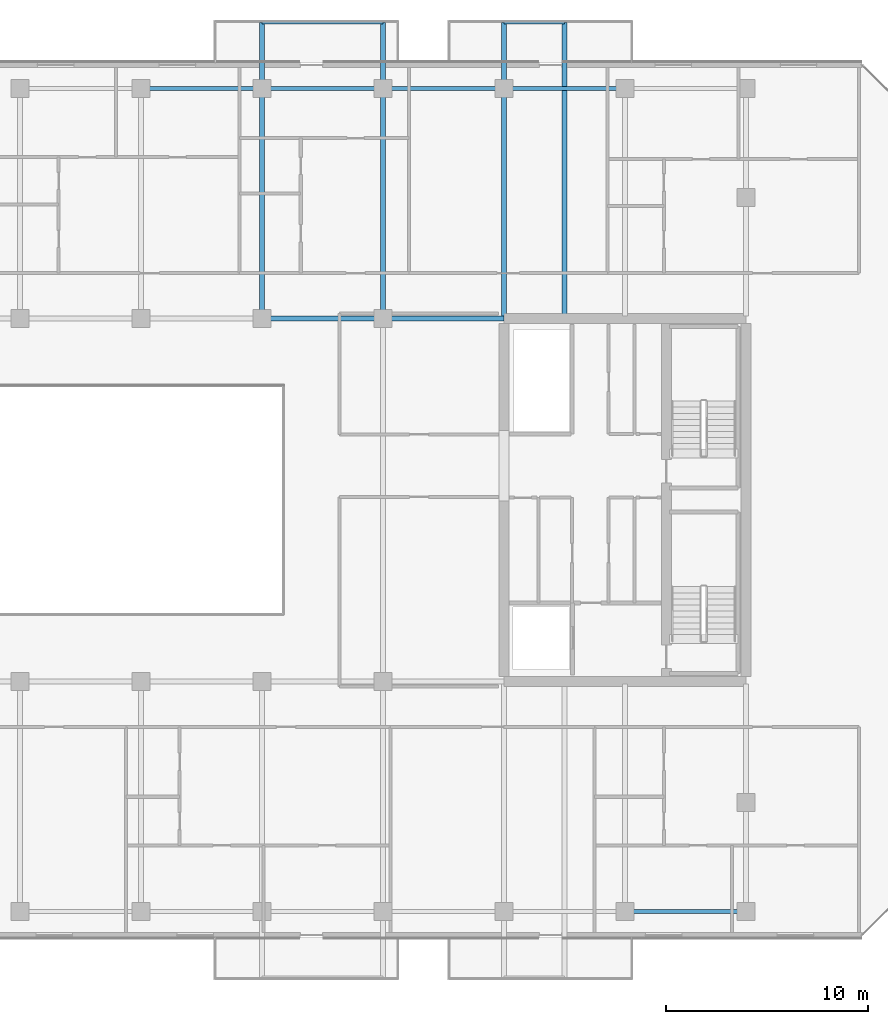
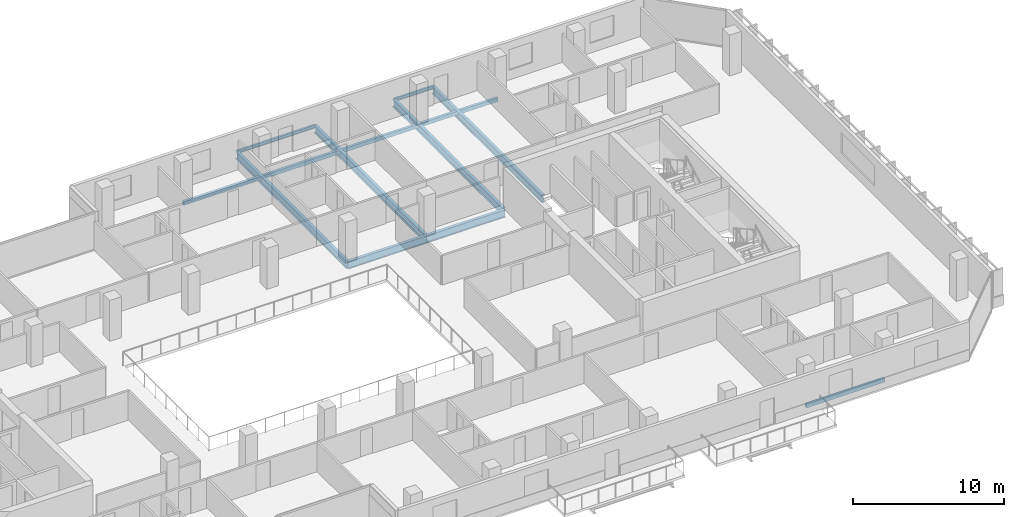
# One storey, part 12 of 29: 13 beams.
"""IFC4 building model written with IfcOpenShell, lengths in metres."""

from ifc_helpers import new_model, si_unit, direction, frame, origin, origin_2d, place, context, subcontext, project, spatial, hollow_rectangle, i_section, extrude, material, material_profile, profile_set, type_object, element, save


model = new_model("IFC4")

# Units and contexts
model_context = context("Model", 3, precision=1e-05, world=origin(), true_north=direction((0.0, 1.0)))
body_context = subcontext(model_context, "Body", "Model", "MODEL_VIEW")
ifc_project = project(units=[si_unit("LENGTHUNIT", "METRE"), si_unit("AREAUNIT", "SQUARE_METRE"), si_unit("VOLUMEUNIT", "CUBIC_METRE"), si_unit("PLANEANGLEUNIT", "RADIAN"), si_unit("MASSUNIT", "GRAM", prefix="KILO")], contexts=[model_context])

# Site, building, storey
site_placement = place(None, origin())
site = spatial("IfcSite", under=ifc_project, at=site_placement, CompositionType="ELEMENT")
building_placement = place(site_placement, origin())
building = spatial("IfcBuilding", under=site, at=building_placement, Name="Tanjung Sevakor Pilgrim Tower", CompositionType="ELEMENT")
storey_placement = place(building_placement, frame((0.0, 0.0, 148.5)))
storey = spatial("IfcBuildingStorey", under=building, at=storey_placement, Name="L41", CompositionType="ELEMENT", Elevation=148.5)

# Beams
ifc_material_1 = material(Name="Steel S355J2", Category="steel")
ifc_material_profile_1 = material_profile(ifc_material_1, i_section(OverallWidth=0.230224609375, OverallDepth=0.6171875, WebThickness=0.01318359375, FlangeThickness=0.022216796875, FilletRadius=0.0126953125, at=origin_2d()))
ifc_profile_set_1 = profile_set([ifc_material_profile_1], Name="Steel S355J2")
beam_type_1 = type_object("IfcBeamType", Name="BM-B-G3-UB_610x229x140", PredefinedType="BEAM", material=ifc_profile_set_1)
for number, where, z_axis, x_axis, name in (
    (1, (66.0, 42.60009765625, -0.528564453125), (1.0, 0.0, 0.0), (0.0, 1.0, 0.0), "L41 Primary Floor Girder MAIN Y426-06"),
    (2, (72.0, 42.60009765625, -0.528564453125), (1.0, 0.0, 0.0), (0.0, 1.0, 0.0), "L41 Primary Floor Girder MAIN Y426-07"),
):
    element("IfcBeam", number, at=place(storey_placement, frame(where, z_axis=z_axis, x_axis=x_axis)), inside=storey, type_object=beam_type_1, Name=name, PredefinedType="BEAM", context=body_context, shape_type="SweptSolid", body=[
        extrude(i_section(OverallWidth=0.230224609375, OverallDepth=0.6171875, WebThickness=0.01318359375, FlangeThickness=0.022216796875, FilletRadius=0.0126953125, at=origin_2d()), origin(), (0.0, 0.0, 1.0), 6.0),
    ])
ifc_material_2 = material(Name="Steel S355J2", Category="steel")
ifc_material_profile_2 = material_profile(ifc_material_2, i_section(OverallWidth=0.22900390625, OverallDepth=0.6123046875, WebThickness=0.011962890625, FlangeThickness=0.01953125, FilletRadius=0.0126953125, at=origin_2d()))
ifc_profile_set_2 = profile_set([ifc_material_profile_2], Name="Steel S355J2")
beam_type_2 = type_object("IfcBeamType", Name="BM-B-G4-UB_610x229x125", PredefinedType="BEAM", material=ifc_profile_set_2)
for number, where, z_axis, x_axis, name in (
    (3, (66.0, 42.60009765625, -0.526123046875), (0.0, 1.0, 0.0), (-1.0, 0.0, 0.0), "L41 Balcony Cantilever Beam MAIN-N2-1"),
    (4, (72.0, 42.60009765625, -0.526123046875), (0.0, 1.0, 0.0), (-1.0, 0.0, 0.0), "L41 Balcony Cantilever Beam MAIN-N2-2"),
):
    element("IfcBeam", number, at=place(storey_placement, frame(where, z_axis=z_axis, x_axis=x_axis)), inside=storey, type_object=beam_type_2, Name=name, PredefinedType="BEAM", context=body_context, shape_type="SweptSolid", body=[
        extrude(i_section(OverallWidth=0.22900390625, OverallDepth=0.6123046875, WebThickness=0.011962890625, FlangeThickness=0.01953125, FilletRadius=0.0126953125, at=origin_2d()), origin(), (0.0, 0.0, 1.0), 14.679931640625),
    ])
for number, where, z_axis, x_axis, name in (
    (5, (78.0, 42.715087890625, -0.526123046875), (0.0, 1.0, 0.0), (-1.0, 0.0, 0.0), "L41 Balcony Cantilever Beam MAIN-N3-1"),
    (6, (81.0, 42.715087890625, -0.526123046875), (0.0, 1.0, 0.0), (-1.0, 0.0, 0.0), "L41 Balcony Cantilever Beam MAIN-N3-2"),
):
    element("IfcBeam", number, at=place(storey_placement, frame(where, z_axis=z_axis, x_axis=x_axis)), inside=storey, type_object=beam_type_2, Name=name, PredefinedType="BEAM", context=body_context, shape_type="SweptSolid", body=[
        extrude(i_section(OverallWidth=0.22900390625, OverallDepth=0.6123046875, WebThickness=0.011962890625, FlangeThickness=0.01953125, FilletRadius=0.0126953125, at=origin_2d()), origin(), (0.0, 0.0, 1.0), 14.56494140625),
    ])
ifc_material_3 = material(Name="Steel S355J2", Category="steel")
ifc_material_profile_3 = material_profile(ifc_material_3, i_section(OverallWidth=0.146484375, OverallDepth=0.256103515625, WebThickness=0.00634765625, FlangeThickness=0.010986328125, FilletRadius=0.007568359375, at=origin_2d()))
ifc_profile_set_3 = profile_set([ifc_material_profile_3], Name="Steel S355J2")
beam_type_3 = type_object("IfcBeamType", Name="BM-B-J6-UB_254x146x37", PredefinedType="JOIST", material=ifc_profile_set_3)
beam_1_placement = place(storey_placement, frame((66.0, 57.280029296875, -0.327880859375), z_axis=(1.0, 0.0, 0.0), x_axis=(0.0, 1.0, 0.0)))
element("IfcBeam", 7, at=beam_1_placement, inside=storey, type_object=beam_type_3, Name="L41 Balcony Rim Tie MAIN-N2", PredefinedType="JOIST", context=body_context, shape_type="SweptSolid", body=[
    extrude(i_section(OverallWidth=0.146484375, OverallDepth=0.256103515625, WebThickness=0.00634765625, FlangeThickness=0.010986328125, FilletRadius=0.007568359375, at=origin_2d()), origin(), (0.0, 0.0, 1.0), 6.0),
])
beam_2_placement = place(storey_placement, frame((78.0, 57.280029296875, -0.327880859375), z_axis=(1.0, 0.0, 0.0), x_axis=(0.0, 1.0, 0.0)))
element("IfcBeam", 8, at=beam_2_placement, inside=storey, type_object=beam_type_3, Name="L41 Balcony Rim Tie MAIN-N3", PredefinedType="JOIST", context=body_context, shape_type="SweptSolid", body=[
    extrude(i_section(OverallWidth=0.146484375, OverallDepth=0.256103515625, WebThickness=0.00634765625, FlangeThickness=0.010986328125, FilletRadius=0.007568359375, at=origin_2d()), origin(), (0.0, 0.0, 1.0), 3.0),
])
ifc_material_4 = material(Name="Steel S355J2", Category="steel")
ifc_material_profile_4 = material_profile(ifc_material_4, hollow_rectangle(XDim=0.199951171875, YDim=0.300048828125, WallThickness=0.012451171875, at=origin_2d()))
ifc_profile_set_4 = profile_set([ifc_material_profile_4], Name="Steel S355J2")
beam_type_4 = type_object("IfcBeamType", Name="BM-B-SP3-RHS_300x200x12.5", PredefinedType="SPANDREL", material=ifc_profile_set_4)
for number, where, z_axis, x_axis, name in (
    (9, (60.0, 54.0, -0.3701171875), (1.0, 0.0, 0.0), (0.0, 1.0, 0.0), "L41 Spandrel MAIN N-10"),
    (10, (66.0, 54.0, -0.3701171875), (1.0, 0.0, 0.0), (0.0, 1.0, 0.0), "L41 Spandrel MAIN N-12"),
    (11, (72.0, 54.0, -0.3701171875), (1.0, 0.0, 0.0), (0.0, 1.0, 0.0), "L41 Spandrel MAIN N-14"),
    (12, (78.0, 54.0, -0.3701171875), (1.0, 0.0, 0.0), (0.0, 1.0, 0.0), "L41 Spandrel MAIN N-16"),
    (13, (84.0, 13.199951171875, -0.3701171875), (1.0, 0.0, 0.0), (0.0, 1.0, 0.0), "L41 Spandrel MAIN S-17"),
):
    element("IfcBeam", number, at=place(storey_placement, frame(where, z_axis=z_axis, x_axis=x_axis)), inside=storey, type_object=beam_type_4, Name=name, PredefinedType="SPANDREL", context=body_context, shape_type="SweptSolid", body=[
        extrude(hollow_rectangle(XDim=0.199951171875, YDim=0.300048828125, WallThickness=0.012451171875, at=origin_2d()), origin(), (0.0, 0.0, 1.0), 6.0),
    ])

save(model, "model.ifc")
